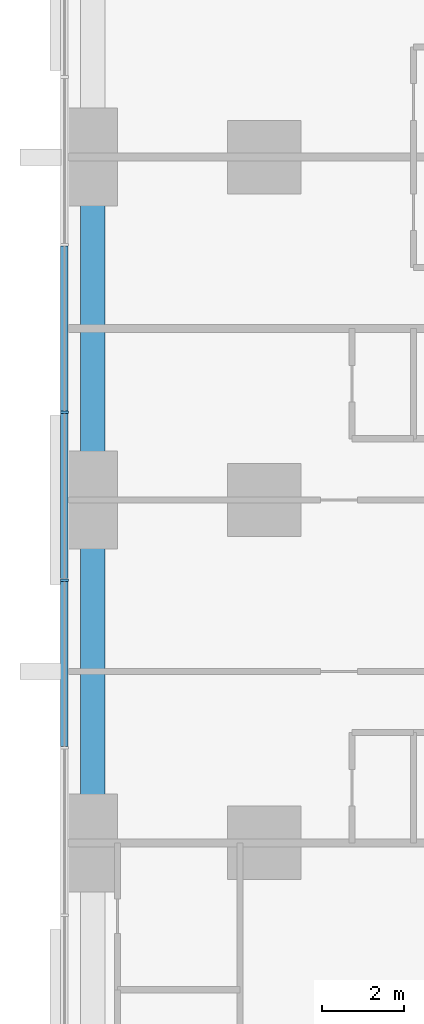
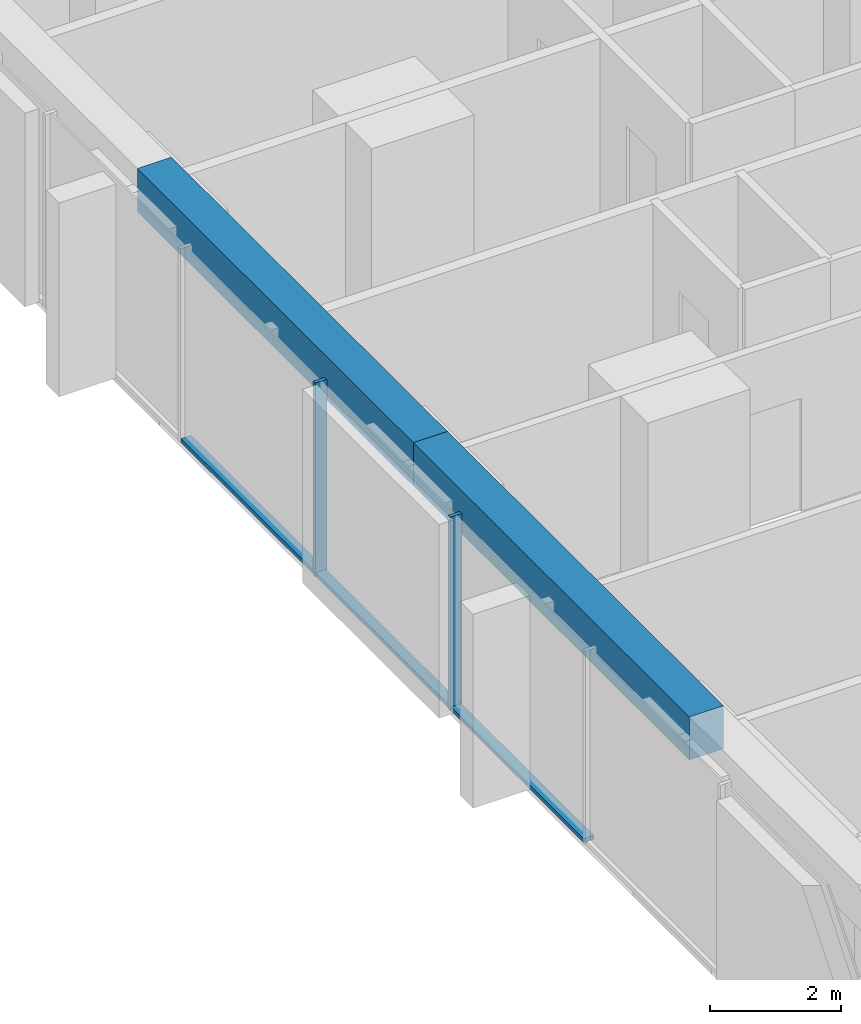
# One storey, part 3 of 17: 5 members, 2 beams, 1 element without a shape of its own.
"""IFC4 building model written with IfcOpenShell, lengths in metres."""

from ifc_helpers import new_model, si_unit, direction, frame, origin, origin_2d, place, context, subcontext, project, spatial, rectangle, extrude, material, material_profile, profile_set, type_object, element, aggregate, save


model = new_model("IFC4")

# Units and contexts
model_context = context("Model", 3, precision=1e-05, world=origin(), true_north=direction((0.0, 1.0)))
body_context = subcontext(model_context, "Body", "Model", "MODEL_VIEW")
ifc_project = project(units=[si_unit("LENGTHUNIT", "METRE"), si_unit("AREAUNIT", "SQUARE_METRE"), si_unit("VOLUMEUNIT", "CUBIC_METRE"), si_unit("PLANEANGLEUNIT", "RADIAN"), si_unit("MASSUNIT", "GRAM", prefix="KILO")], contexts=[model_context])

# Site, building, storey
site_placement = place(None, origin())
site = spatial("IfcSite", under=ifc_project, at=site_placement, CompositionType="ELEMENT")
building_placement = place(site_placement, origin())
building = spatial("IfcBuilding", under=site, at=building_placement, Name="Dunama Terrace Hotel", CompositionType="ELEMENT")
storey_placement = place(building_placement, frame((0.0, 0.0, 41.39990234375)))
storey = spatial("IfcBuildingStorey", under=building, at=storey_placement, Name="L09", CompositionType="ELEMENT", Elevation=41.39990234375)

# Curtain wall, members
ifc_material_1 = material(Name="Aluminium curtain wall system", Category="aluminium")
curtain_wall_type = type_object("IfcCurtainWallType", Name="Unitised fritted glass wall CW-A", PredefinedType="NOTDEFINED", material=ifc_material_1)
curtain_wall_placement = place(storey_placement, origin())
curtain_wall = element("IfcCurtainWall", 1, at=curtain_wall_placement, inside=storey, type_object=curtain_wall_type, Name="Unitised fritted glass wall CW-A L09", PredefinedType="NOTDEFINED")
ifc_material_2 = material(Name="Aluminium mullion", Category="aluminium")
ifc_material_profile_1 = material_profile(ifc_material_2, rectangle(XDim=0.06494140625, YDim=0.199951171875, at=origin_2d()), Name="CWA MULLION 65X200")
ifc_profile_set_1 = profile_set([ifc_material_profile_1], Name="Aluminium mullion")
member_type_1 = type_object("IfcMemberType", Name="CWA mullion 65x200", PredefinedType="MULLION", material=ifc_profile_set_1)
member_1_placement = place(storey_placement, frame((-0.10009765625, 27.345947265625, 0.0), z_axis=(0.0, 0.0, 1.0), x_axis=(0.0, -1.0, 0.0)))
member_1 = element("IfcMember", 2, at=member_1_placement, type_object=member_type_1, Name="CWA mullion", PredefinedType="MULLION", context=body_context, shape_type="SweptSolid", body=[
    extrude(rectangle(XDim=0.06494140625, YDim=0.199951171875, at=origin_2d()), origin(), (0.0, 0.0, 1.0), 3.60009765625),
])
member_2_placement = place(storey_placement, frame((-0.10009765625, 23.238037109375, 0.0), z_axis=(0.0, 0.0, 1.0), x_axis=(0.0, -1.0, 0.0)))
member_2 = element("IfcMember", 3, at=member_2_placement, type_object=member_type_1, Name="CWA mullion", PredefinedType="MULLION", context=body_context, shape_type="SweptSolid", body=[
    extrude(rectangle(XDim=0.06494140625, YDim=0.199951171875, at=origin_2d()), origin(), (0.0, 0.0, 1.0), 3.60009765625),
])
ifc_material_3 = material(Name="Aluminium transom", Category="aluminium")
ifc_material_profile_2 = material_profile(ifc_material_3, rectangle(XDim=0.179931640625, YDim=0.074951171875, at=origin_2d()), Name="CWA TRANSOM 180X75")
ifc_profile_set_2 = profile_set([ifc_material_profile_2], Name="Aluminium transom")
member_type_2 = type_object("IfcMemberType", Name="CWA transom 180x75", PredefinedType="USERDEFINED", material=ifc_profile_set_2)
member_3_placement = place(storey_placement, frame((-0.10009765625, 31.4208984375, 0.03759765625), z_axis=(0.0, -1.0, 0.0), x_axis=(1.0, 0.0, 0.0)))
member_3 = element("IfcMember", 4, at=member_3_placement, type_object=member_type_2, Name="CWA transom", ObjectType="TRANSOM", PredefinedType="USERDEFINED", context=body_context, shape_type="SweptSolid", body=[
    extrude(rectangle(XDim=0.179931640625, YDim=0.074951171875, at=origin_2d()), origin(), (0.0, 0.0, 1.0), 4.0419921875),
])
member_4_placement = place(storey_placement, frame((-0.10009765625, 27.31396484375, 0.03759765625), z_axis=(0.0, -1.0, 0.0), x_axis=(1.0, 0.0, 0.0)))
member_4 = element("IfcMember", 5, at=member_4_placement, type_object=member_type_2, Name="CWA transom", ObjectType="TRANSOM", PredefinedType="USERDEFINED", context=body_context, shape_type="SweptSolid", body=[
    extrude(rectangle(XDim=0.179931640625, YDim=0.074951171875, at=origin_2d()), origin(), (0.0, 0.0, 1.0), 4.04296875),
])
member_5_placement = place(storey_placement, frame((-0.10009765625, 23.2060546875, 0.03759765625), z_axis=(0.0, -1.0, 0.0), x_axis=(1.0, 0.0, 0.0)))
member_5 = element("IfcMember", 6, at=member_5_placement, type_object=member_type_2, Name="CWA transom", ObjectType="TRANSOM", PredefinedType="USERDEFINED", context=body_context, shape_type="SweptSolid", body=[
    extrude(rectangle(XDim=0.179931640625, YDim=0.074951171875, at=origin_2d()), origin(), (0.0, 0.0, 1.0), 4.04296875),
])
aggregate(curtain_wall, [member_1, member_2, member_3, member_4, member_5])

# Beams
ifc_material_4 = material(Name="Concrete C40/50", Category="concrete")
ifc_material_profile_3 = material_profile(ifc_material_4, rectangle(XDim=0.60009765625, YDim=0.800048828125, at=origin_2d()), Name="RC 600x800")
ifc_profile_set_3 = profile_set([ifc_material_profile_3], Name="Concrete C40/50")
beam_type = type_object("IfcBeamType", Name="Edge beam RC 600x800", PredefinedType="SPANDREL", material=ifc_profile_set_3)
beam_1_placement = place(storey_placement, frame((0.60009765625, 16.800048828125, 3.2001953125), z_axis=(0.0, 1.0, 0.0), x_axis=(-1.0, 0.0, 0.0)))
element("IfcBeam", 7, at=beam_1_placement, inside=storey, type_object=beam_type, Name="Edge beam under L10", PredefinedType="SPANDREL", context=body_context, shape_type="SweptSolid", body=[
    extrude(rectangle(XDim=0.60009765625, YDim=0.800048828125, at=origin_2d()), origin(), (0.0, 0.0, 1.0), 8.39990234375),
])
beam_2_placement = place(storey_placement, frame((0.60009765625, 25.199951171875, 3.2001953125), z_axis=(0.0, 1.0, 0.0), x_axis=(-1.0, 0.0, 0.0)))
element("IfcBeam", 8, at=beam_2_placement, inside=storey, type_object=beam_type, Name="Edge beam under L10", PredefinedType="SPANDREL", context=body_context, shape_type="SweptSolid", body=[
    extrude(rectangle(XDim=0.60009765625, YDim=0.800048828125, at=origin_2d()), origin(), (0.0, 0.0, 1.0), 8.400146484375),
])

save(model, "model.ifc")
